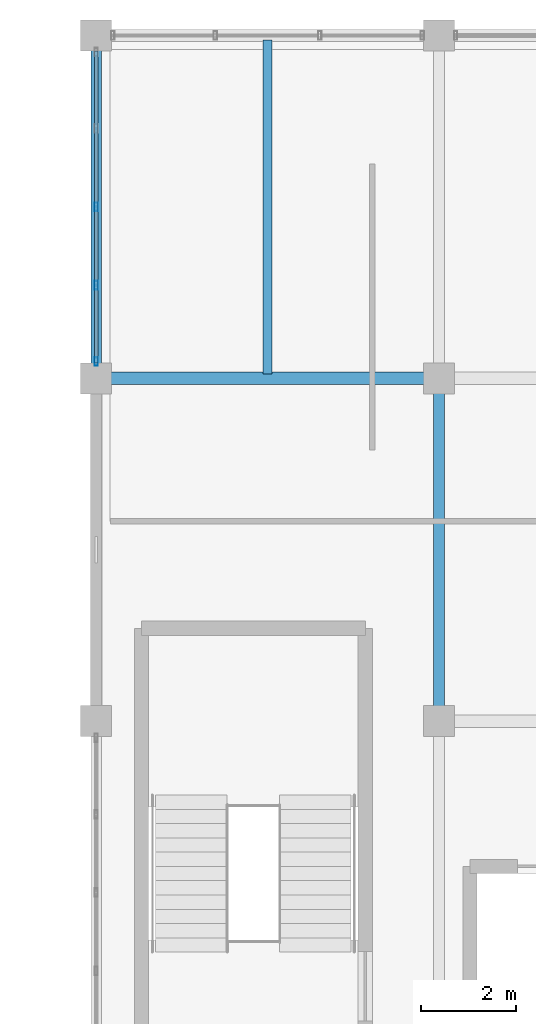
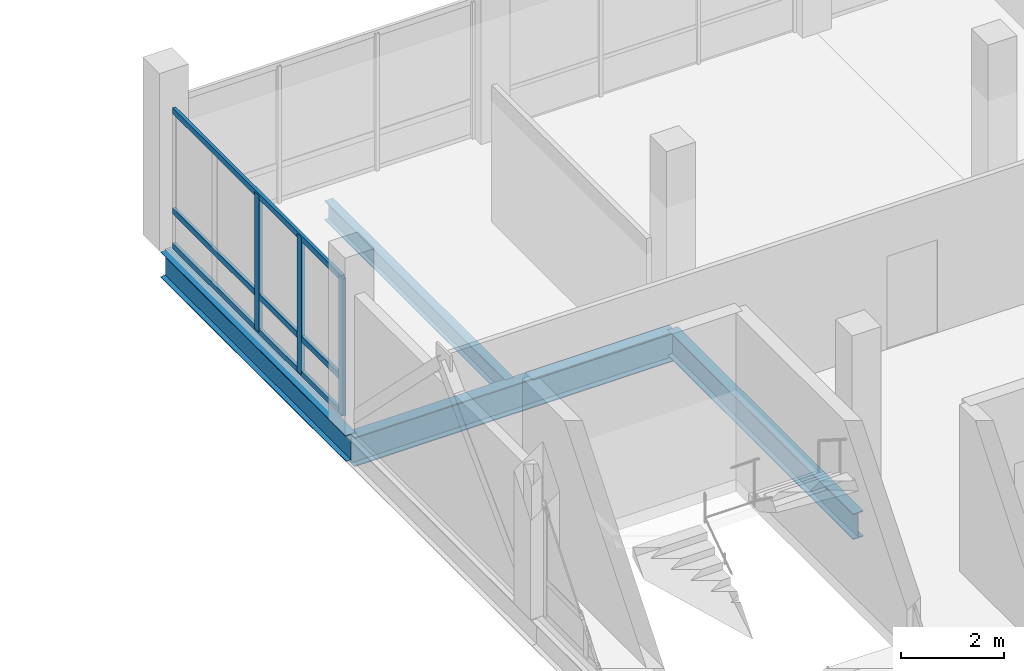
# One storey, part 49 of 102: 6 members, 4 beams, 1 element without a shape of its own.
"""IFC4 building model written with IfcOpenShell, lengths in metres."""

from ifc_helpers import new_model, si_unit, direction, frame, origin, origin_2d, place, context, subcontext, project, spatial, hollow_rectangle, i_section, extrude, material, material_profile, profile_set, type_object, element, aggregate, save


model = new_model("IFC4")

# Units and contexts
model_context = context("Model", 3, precision=1e-05, world=origin(), true_north=direction((0.0, 1.0)))
body_context = subcontext(model_context, "Body", "Model", "MODEL_VIEW")
ifc_project = project(units=[si_unit("LENGTHUNIT", "METRE"), si_unit("AREAUNIT", "SQUARE_METRE"), si_unit("VOLUMEUNIT", "CUBIC_METRE"), si_unit("PLANEANGLEUNIT", "RADIAN"), si_unit("MASSUNIT", "GRAM", prefix="KILO")], contexts=[model_context])

# Site, building, storey
site_placement = place(None, origin())
site = spatial("IfcSite", under=ifc_project, at=site_placement, CompositionType="ELEMENT")
building_placement = place(site_placement, origin())
building = spatial("IfcBuilding", under=site, at=building_placement, Name="Yarey Park Central Fire Station", CompositionType="ELEMENT")
storey_placement = place(building_placement, frame((0.0, 0.0, 6.0)))
storey = spatial("IfcBuildingStorey", under=building, at=storey_placement, Name="L02", CompositionType="ELEMENT", Elevation=6.0)

# Curtain wall, members
ifc_material_1 = material(Name="Anodized Aluminium Frame", Category="aluminium")
curtain_wall_type = type_object("IfcCurtainWallType", Name="ENV_CW_HQ_L02", PredefinedType="NOTDEFINED", material=ifc_material_1)
curtain_wall_placement = place(storey_placement, origin())
curtain_wall = element("IfcCurtainWall", 1, at=curtain_wall_placement, inside=storey, type_object=curtain_wall_type, Name="CW_L02_V4_W_108", PredefinedType="NOTDEFINED")
ifc_material_profile_1 = material_profile(ifc_material_1, hollow_rectangle(XDim=0.070068359375, YDim=0.179931640625, WallThickness=0.00390625, at=origin_2d()), Name="ALU 180x70x4")
ifc_profile_set_1 = profile_set([ifc_material_profile_1], Name="Anodized Aluminium Frame")
member_type_1 = type_object("IfcMemberType", Name="ENV_CW_MULLION", PredefinedType="MULLION", material=ifc_profile_set_1)
member_1_placement = place(storey_placement, frame((115.199951171875, 111.60009765625, 0.0), z_axis=(0.0, 0.0, 1.0), x_axis=(1.0, 0.0, 0.0)))
member_1 = element("IfcMember", 2, at=member_1_placement, type_object=member_type_1, Name="CW_L02_V4_W_108_MUL3", PredefinedType="MULLION", context=body_context, shape_type="SweptSolid", body=[
    extrude(hollow_rectangle(XDim=0.070068359375, YDim=0.179931640625, WallThickness=0.00390625, at=origin_2d()), origin(), (0.0, 0.0, 1.0), 3.25),
])
member_2_placement = place(storey_placement, frame((115.199951171875, 109.955078125, 0.0), z_axis=(0.0, 0.0, 1.0), x_axis=(1.0, 0.0, 0.0)))
member_2 = element("IfcMember", 3, at=member_2_placement, type_object=member_type_1, Name="CW_L02_V4_W_108_MUL4", PredefinedType="MULLION", context=body_context, shape_type="SweptSolid", body=[
    extrude(hollow_rectangle(XDim=0.070068359375, YDim=0.179931640625, WallThickness=0.00390625, at=origin_2d()), origin(), (0.0, 0.0, 1.0), 3.25),
])
member_3_placement = place(storey_placement, frame((115.199951171875, 108.35009765625, 0.0), z_axis=(0.0, 0.0, 1.0), x_axis=(1.0, 0.0, 0.0)))
member_3 = element("IfcMember", 4, at=member_3_placement, type_object=member_type_1, Name="CW_L02_V4_W_108_MUL5", PredefinedType="MULLION", context=body_context, shape_type="SweptSolid", body=[
    extrude(hollow_rectangle(XDim=0.070068359375, YDim=0.179931640625, WallThickness=0.00390625, at=origin_2d()), origin(), (0.0, 0.0, 1.0), 3.25),
])
ifc_material_profile_2 = material_profile(ifc_material_1, hollow_rectangle(XDim=0.070068359375, YDim=0.139892578125, WallThickness=0.00390625, at=origin_2d()), Name="ALU 140x70x4")
ifc_profile_set_2 = profile_set([ifc_material_profile_2], Name="Anodized Aluminium Frame")
member_type_2 = type_object("IfcMemberType", Name="ENV_CW_TRANSOM", PredefinedType="USERDEFINED", material=ifc_profile_set_2)
member_4_placement = place(storey_placement, frame((115.199951171875, 114.875, 0.02490234375), z_axis=(0.0, -1.0, 0.0), x_axis=(1.0, 0.0, 0.0)))
member_4 = element("IfcMember", 5, at=member_4_placement, type_object=member_type_2, Name="CW_L02_V4_W_108_TRN1", ObjectType="TRANSOM", PredefinedType="USERDEFINED", context=body_context, shape_type="SweptSolid", body=[
    extrude(hollow_rectangle(XDim=0.070068359375, YDim=0.139892578125, WallThickness=0.00390625, at=origin_2d()), origin(), (0.0, 0.0, 1.0), 6.550048828125),
])
member_5_placement = place(storey_placement, frame((115.199951171875, 114.875, 0.85009765625), z_axis=(0.0, -1.0, 0.0), x_axis=(1.0, 0.0, 0.0)))
member_5 = element("IfcMember", 6, at=member_5_placement, type_object=member_type_2, Name="CW_L02_V4_W_108_TRN2", ObjectType="TRANSOM", PredefinedType="USERDEFINED", context=body_context, shape_type="SweptSolid", body=[
    extrude(hollow_rectangle(XDim=0.070068359375, YDim=0.139892578125, WallThickness=0.00390625, at=origin_2d()), origin(), (0.0, 0.0, 1.0), 6.550048828125),
])
member_6_placement = place(storey_placement, frame((115.199951171875, 114.875, 3.22509765625), z_axis=(0.0, -1.0, 0.0), x_axis=(1.0, 0.0, 0.0)))
member_6 = element("IfcMember", 7, at=member_6_placement, type_object=member_type_2, Name="CW_L02_V4_W_108_TRN3", ObjectType="TRANSOM", PredefinedType="USERDEFINED", context=body_context, shape_type="SweptSolid", body=[
    extrude(hollow_rectangle(XDim=0.070068359375, YDim=0.139892578125, WallThickness=0.00390625, at=origin_2d()), origin(), (0.0, 0.0, 1.0), 6.550048828125),
])
aggregate(curtain_wall, [member_1, member_2, member_3, member_4, member_5, member_6])

# Beams
ifc_material_2 = material(Name="Steel ASTM A992 Gr. 50", Category="steel")
ifc_material_profile_3 = material_profile(ifc_material_2, i_section(OverallWidth=0.22900390625, OverallDepth=0.612060546875, WebThickness=0.011962890625, FlangeThickness=0.01953125, at=origin_2d()), Name="W610x125")
ifc_profile_set_3 = profile_set([ifc_material_profile_3], Name="Steel ASTM A992 Gr. 50")
beam_type_1 = type_object("IfcBeamType", Name="STR_BM_W610", PredefinedType="BEAM", material=ifc_profile_set_3)
for number, where, z_axis, x_axis, name in (
    (8, (115.199951171875, 108.0, -0.591064453125), (0.0, 1.0, 0.0), (-1.0, 0.0, 0.0), "BMY L02 X1152 Y1080"),
    (9, (122.39990234375, 100.800048828125, -0.591064453125), (0.0, 1.0, 0.0), (-1.0, 0.0, 0.0), "BMY L02 X1224 Y1008"),
):
    element("IfcBeam", number, at=place(storey_placement, frame(where, z_axis=z_axis, x_axis=x_axis)), inside=storey, type_object=beam_type_1, Name=name, PredefinedType="BEAM", context=body_context, shape_type="SweptSolid", body=[
        extrude(i_section(OverallWidth=0.22900390625, OverallDepth=0.612060546875, WebThickness=0.011962890625, FlangeThickness=0.01953125, at=origin_2d()), origin(), (0.0, 0.0, 1.0), 7.199951171875),
    ])
ifc_material_profile_4 = material_profile(ifc_material_2, i_section(OverallWidth=0.256103515625, OverallDepth=0.693115234375, WebThickness=0.014404296875, FlangeThickness=0.023681640625, at=origin_2d()), Name="W690x170")
ifc_profile_set_4 = profile_set([ifc_material_profile_4], Name="Steel ASTM A992 Gr. 50")
beam_type_2 = type_object("IfcBeamType", Name="STR_BM_W690", PredefinedType="BEAM", material=ifc_profile_set_4)
beam_1_placement = place(storey_placement, frame((115.199951171875, 108.0, -0.631591796875), z_axis=(1.0, 0.0, 0.0), x_axis=(0.0, 1.0, 0.0)))
element("IfcBeam", 10, at=beam_1_placement, inside=storey, type_object=beam_type_2, Name="BMX L02 Y1080 X1152", PredefinedType="BEAM", context=body_context, shape_type="SweptSolid", body=[
    extrude(i_section(OverallWidth=0.256103515625, OverallDepth=0.693115234375, WebThickness=0.014404296875, FlangeThickness=0.023681640625, at=origin_2d()), origin(), (0.0, 0.0, 1.0), 7.199951171875),
])
ifc_material_profile_5 = material_profile(ifc_material_2, i_section(OverallWidth=0.18994140625, OverallDepth=0.45703125, WebThickness=0.009033203125, FlangeThickness=0.014404296875, at=origin_2d()), Name="W460x74")
ifc_profile_set_5 = profile_set([ifc_material_profile_5], Name="Steel ASTM A992 Gr. 50")
beam_type_3 = type_object("IfcBeamType", Name="STR_JST_W460", PredefinedType="JOIST", material=ifc_profile_set_5)
beam_2_placement = place(storey_placement, frame((118.800048828125, 108.094970703125, -0.513427734375), z_axis=(0.0, 1.0, 0.0), x_axis=(-1.0, 0.0, 0.0)))
element("IfcBeam", 11, at=beam_2_placement, inside=storey, type_object=beam_type_3, Name="JST L02 X1188 Y1080", PredefinedType="JOIST", context=body_context, shape_type="SweptSolid", body=[
    extrude(i_section(OverallWidth=0.18994140625, OverallDepth=0.45703125, WebThickness=0.009033203125, FlangeThickness=0.014404296875, at=origin_2d()), origin(), (0.0, 0.0, 1.0), 7.010009765625),
])

save(model, "model.ifc")
